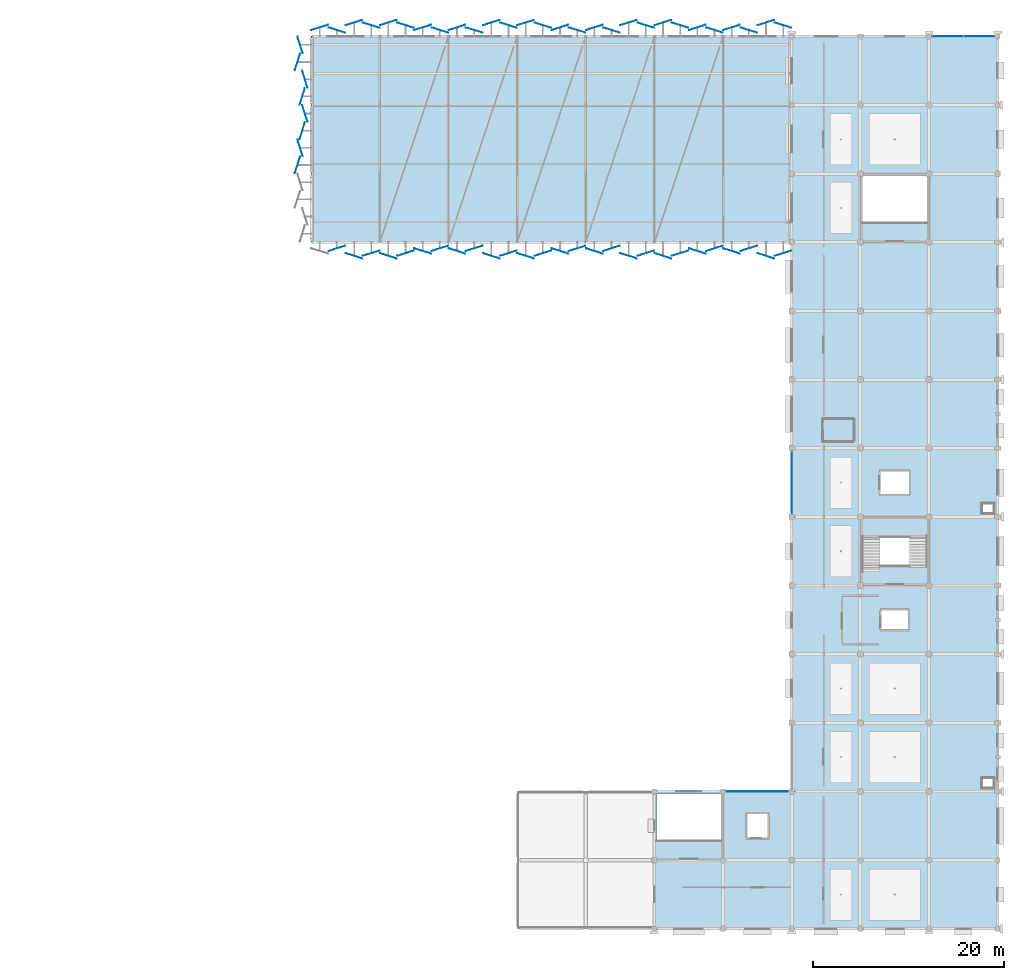
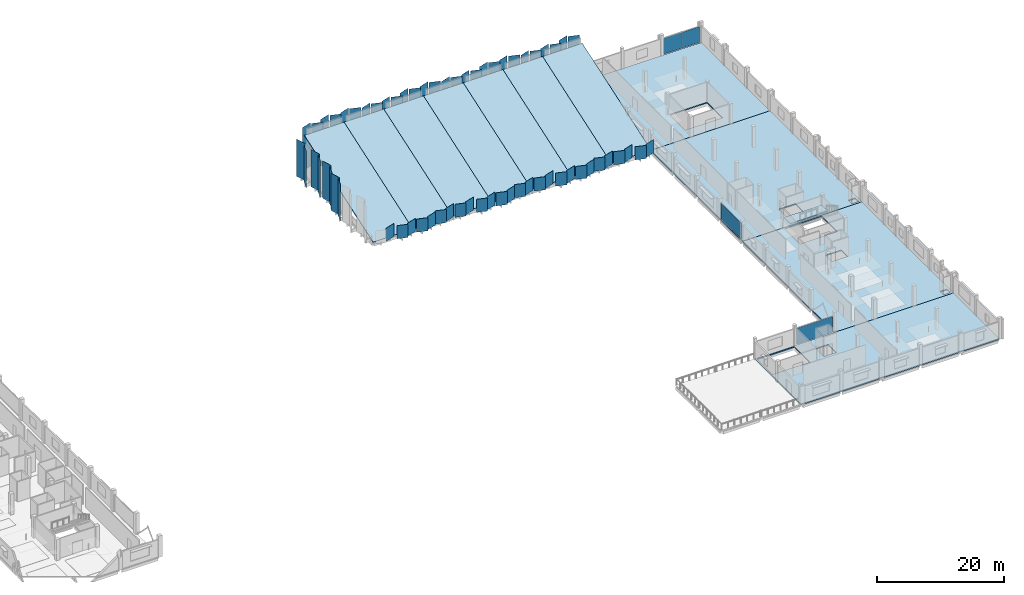
# One storey, part 30 of 59: 67 plates, 12 slabs, 4 elements without a shape of their own.
"""IFC4 building model written with IfcOpenShell, lengths in metres."""

from ifc_helpers import new_model, si_unit, direction, frame, origin, origin_2d, place, context, subcontext, project, spatial, polyline, rectangle, outline, extrude, material, layer, layer_set, type_object, element, aggregate, save


model = new_model("IFC4")

# Units and contexts
model_context = context("Model", 3, precision=1e-05, world=origin(), true_north=direction((0.0, 1.0)))
body_context = subcontext(model_context, "Body", "Model", "MODEL_VIEW")
ifc_project = project(units=[si_unit("LENGTHUNIT", "METRE"), si_unit("AREAUNIT", "SQUARE_METRE"), si_unit("VOLUMEUNIT", "CUBIC_METRE"), si_unit("PLANEANGLEUNIT", "RADIAN"), si_unit("MASSUNIT", "GRAM", prefix="KILO")], contexts=[model_context])

# Site, building, storey
site_placement = place(None, origin())
site = spatial("IfcSite", under=ifc_project, at=site_placement, CompositionType="ELEMENT")
building_placement = place(site_placement, origin())
building = spatial("IfcBuilding", under=site, at=building_placement, Name="Kangsadwip Square Police Headquarters", CompositionType="ELEMENT")
storey_placement = place(building_placement, frame((0.0, 0.0, 21.60009765625)))
storey = spatial("IfcBuildingStorey", under=building, at=storey_placement, Name="L05", CompositionType="ELEMENT", Elevation=21.60009765625)

# Curtain wall, plate
ifc_material_1 = material(Name="Thermally broken anodised aluminium AW-6063-T6", Category="aluminium")
ifc_layer_1 = layer(ifc_material_1, 0.159912109375)
ifc_layer_set_1 = layer_set([ifc_layer_1], Name="Thermally broken anodised aluminium AW-6063-T6")
curtain_wall_type_1 = type_object("IfcCurtainWallType", Name="CourtScreen6635x3300", PredefinedType="USERDEFINED", material=ifc_layer_set_1)
curtain_wall_1_placement = place(storey_placement, origin())
curtain_wall_1 = element("IfcCurtainWall", 1, at=curtain_wall_1_placement, inside=storey, type_object=curtain_wall_type_1, Name="Curtain Wall CW-L05-1371-0360", ObjectType="GLAZED_SCREEN", PredefinedType="USERDEFINED")
ifc_material_2 = material(Name="Double-glazed solar-control low-E safety glass", Category="glass")
ifc_layer_2 = layer(ifc_material_2, 0.02392578125)
ifc_layer_set_2 = layer_set([ifc_layer_2], Name="Double-glazed solar-control low-E safety glass")
plate_type_1 = type_object("IfcPlateType", Name="CwCourtVisionPanel24", PredefinedType="CURTAIN_PANEL", material=ifc_layer_set_2)
plate_1_placement = place(storey_placement, frame((140.387451171875, 36.0, 0.119873046875), z_axis=(0.0, 0.0, 1.0), x_axis=(1.0, 0.0, 0.0)))
plate_1 = element("IfcPlate", 2, at=plate_1_placement, type_object=plate_type_1, Name="CW-50 panel 1.1", PredefinedType="CURTAIN_PANEL", context=body_context, shape_type="SweptSolid", body=[
    extrude(rectangle(XDim=6.514892578125, YDim=0.02392578125, at=origin_2d()), origin(), (0.0, 0.0, 1.0), 3.06005859375),
])
aggregate(curtain_wall_1, [plate_1])

ifc_material_3 = material(Name="Thermally broken anodised aluminium AW-6063-T6", Category="aluminium")
ifc_layer_3 = layer(ifc_material_3, 0.159912109375)
ifc_layer_set_3 = layer_set([ifc_layer_3], Name="Thermally broken anodised aluminium AW-6063-T6")
curtain_wall_type_2 = type_object("IfcCurtainWallType", Name="CourtScreen6610x3300", PredefinedType="USERDEFINED", material=ifc_layer_set_3)
curtain_wall_2_placement = place(storey_placement, origin())
curtain_wall_2 = element("IfcCurtainWall", 3, at=curtain_wall_2_placement, inside=storey, type_object=curtain_wall_type_2, Name="Curtain Wall CW-L05-1440-0651", ObjectType="GLAZED_SCREEN", PredefinedType="USERDEFINED")
plate_2_placement = place(storey_placement, frame((144.0, 68.39990234375, 0.119873046875), z_axis=(0.0, 0.0, 1.0), x_axis=(0.0, 1.0, 0.0)))
plate_2 = element("IfcPlate", 4, at=plate_2_placement, type_object=plate_type_1, Name="CW-52 panel 1.1", PredefinedType="CURTAIN_PANEL", context=body_context, shape_type="SweptSolid", body=[
    extrude(rectangle(XDim=6.489990234375, YDim=0.02392578125, at=origin_2d()), origin(), (0.0, 0.0, 1.0), 3.06005859375),
])
aggregate(curtain_wall_2, [plate_2])

# Curtain wall, plates
ifc_material_4 = material(Name="Thermally broken anodised aluminium AW-6063-T6", Category="aluminium")
ifc_layer_4 = layer(ifc_material_4, 0.159912109375)
ifc_layer_set_4 = layer_set([ifc_layer_4], Name="Thermally broken anodised aluminium AW-6063-T6")
curtain_wall_type_3 = type_object("IfcCurtainWallType", Name="UnitisedCw6685x3300", PredefinedType="NOTDEFINED", material=ifc_layer_set_4)
curtain_wall_3_placement = place(storey_placement, origin())
curtain_wall_3 = element("IfcCurtainWall", 5, at=curtain_wall_3_placement, inside=storey, type_object=curtain_wall_type_3, Name="Curtain Wall CW-L05-1587-1152", PredefinedType="NOTDEFINED")
ifc_material_5 = material(Name="Double-glazed solar-control low-E safety glass", Category="glass")
ifc_layer_5 = layer(ifc_material_5, 0.028076171875)
ifc_layer_set_5 = layer_set([ifc_layer_5], Name="Double-glazed solar-control low-E safety glass")
plate_type_2 = type_object("IfcPlateType", Name="CwSolarVisionPanel28", PredefinedType="CURTAIN_PANEL", material=ifc_layer_set_5)
plate_3_placement = place(storey_placement, frame((160.357421875, 115.199951171875, 0.1298828125), z_axis=(0.0, 0.0, 1.0), x_axis=(1.0, 0.0, 0.0)))
plate_3 = element("IfcPlate", 6, at=plate_3_placement, type_object=plate_type_2, Name="CW-51 panel 1.1", PredefinedType="CURTAIN_PANEL", context=body_context, shape_type="SweptSolid", body=[
    extrude(rectangle(XDim=3.2451171875, YDim=0.028076171875, at=origin_2d()), origin(), (0.0, 0.0, 1.0), 3.0400390625),
])
plate_4_placement = place(storey_placement, frame((163.66748046875, 115.199951171875, 0.1298828125), z_axis=(0.0, 0.0, 1.0), x_axis=(1.0, 0.0, 0.0)))
plate_4 = element("IfcPlate", 7, at=plate_4_placement, type_object=plate_type_2, Name="CW-51 panel 2.1", PredefinedType="CURTAIN_PANEL", context=body_context, shape_type="SweptSolid", body=[
    extrude(rectangle(XDim=3.2451171875, YDim=0.028076171875, at=origin_2d()), origin(), (0.0, 0.0, 1.0), 3.0400390625),
])
aggregate(curtain_wall_3, [plate_3, plate_4])

# Slabs
ifc_material_6 = material(Name="Concrete M35 (35 MPa)", Category="concrete")
ifc_layer_6 = layer(ifc_material_6, 0.219970703125)
ifc_layer_set_6 = layer_set([ifc_layer_6], Name="Concrete M35 (35 MPa)")
slab_type_1 = type_object("IfcSlabType", Name="LinkBridgeFloorSlab220", PredefinedType="FLOOR", material=ifc_layer_set_6)
slab_1_placement = place(storey_placement, frame((0.0, 0.0, -0.22021484375)))
element("IfcSlab", 8, at=slab_1_placement, inside=storey, type_object=slab_type_1, Name="L05 Vol6N Slab SL-L05-054", PredefinedType="FLOOR", context=body_context, shape_type="SweptSolid", body=[
    extrude(outline(polyline([(144.0, 93.60009765625), (144.0, 115.199951171875), (165.60009765625, 115.199951171875), (165.60009765625, 93.60009765625), (144.0, 93.60009765625)]), holes=[polyline([(158.179931640625, 95.679931640625), (158.179931640625, 100.580078125), (151.419921875, 100.580078125), (151.419921875, 95.679931640625), (158.179931640625, 95.679931640625)])]), origin(), (0.0, 0.0, 1.0), 0.22021484375),
])
slab_2_placement = place(storey_placement, frame((0.0, 0.0, -0.22021484375)))
element("IfcSlab", 9, at=slab_2_placement, inside=storey, type_object=slab_type_1, Name="L05 Vol6S Slab SL-L05-057", PredefinedType="FLOOR", context=body_context, shape_type="SweptSolid", body=[
    extrude(outline(polyline([(144.0, 36.0), (144.0, 64.800048828125), (165.60009765625, 64.800048828125), (165.60009765625, 36.0), (144.0, 36.0)]), holes=[polyline([(165.199951171875, 37.39990234375), (164.0, 37.39990234375), (164.0, 36.39990234375), (165.199951171875, 36.39990234375), (165.199951171875, 37.39990234375)]), polyline([(156.199951171875, 55.0), (153.39990234375, 55.0), (153.39990234375, 53.0), (156.199951171875, 53.0), (156.199951171875, 55.0)]), polyline([(158.179931640625, 59.679931640625), (158.179931640625, 64.580078125), (151.419921875, 64.580078125), (151.419921875, 59.679931640625), (158.179931640625, 59.679931640625)])]), origin(), (0.0, 0.0, 1.0), 0.22021484375),
])
slab_3_placement = place(storey_placement, frame((0.0, 0.0, -0.22021484375)))
element("IfcSlab", 10, at=slab_3_placement, inside=storey, type_object=slab_type_1, Name="L05 Vol6N Slab SL-L05-058", PredefinedType="FLOOR", context=body_context, shape_type="SweptSolid", body=[
    extrude(outline(polyline([(144.0, 64.800048828125), (144.0, 93.60009765625), (165.60009765625, 93.60009765625), (165.60009765625, 64.800048828125), (144.0, 64.800048828125)]), holes=[polyline([(165.199951171875, 66.199951171875), (164.0, 66.199951171875), (164.0, 65.199951171875), (165.199951171875, 65.199951171875), (165.199951171875, 66.199951171875)]), polyline([(156.300048828125, 69.60009765625), (153.300048828125, 69.60009765625), (153.300048828125, 67.199951171875), (156.300048828125, 67.199951171875), (156.300048828125, 69.60009765625)])]), origin(), (0.0, 0.0, 1.0), 0.22021484375),
])
slab_4_placement = place(storey_placement, frame((0.0, 0.0, -0.22021484375)))
element("IfcSlab", 11, at=slab_4_placement, inside=storey, type_object=slab_type_1, Name="L05 Vol7 Slab SL-L05-059", PredefinedType="FLOOR", context=body_context, shape_type="SweptSolid", body=[
    extrude(outline(polyline([(129.60009765625, 21.60009765625), (129.60009765625, 36.0), (165.60009765625, 36.0), (165.60009765625, 21.60009765625), (129.60009765625, 21.60009765625)]), holes=[polyline([(141.47509765625, 33.64990234375), (139.324951171875, 33.64990234375), (139.324951171875, 31.14990234375), (141.47509765625, 31.14990234375), (141.47509765625, 33.64990234375)]), polyline([(136.580078125, 30.8798828125), (136.580078125, 35.780029296875), (129.820068359375, 35.780029296875), (129.820068359375, 30.8798828125), (136.580078125, 30.8798828125)])]), origin(), (0.0, 0.0, 1.0), 0.22021484375),
])

# Plates
ifc_material_7 = material(Name="PVDF-coated perforated marine-grade aluminium AW-5052-H32", Category="aluminium")
ifc_layer_7 = layer(ifc_material_7, 0.008056640625)
ifc_layer_set_7 = layer_set([ifc_layer_7], Name="PVDF-coated perforated marine-grade aluminium AW-5052-H32")
plate_type_3 = type_object("IfcPlateType", Name="PleatedVeilFacet3", PredefinedType="USERDEFINED", material=ifc_layer_set_7)
for number, where, z_axis, x_axis, name in (
    (12, (94.5, 116.12548828125, 0.079833984375), (0.0, 0.0, 1.0), (0.953716950748, 0.300705799504, 0.0), "Pleated Perforated Veil Facet PVF-L05-0169"),
    (13, (96.300048828125, 115.845458984375, 0.079833984375), (0.0, 0.0, 1.0), (0.953716950748, -0.300705799504, 0.0), "Pleated Perforated Veil Facet PVF-L05-0170"),
    (14, (98.10009765625, 116.634521484375, 0.079833984375), (0.0, 0.0, 1.0), (0.953716950748, 0.300705799504, 0.0), "Pleated Perforated Veil Facet PVF-L05-0171"),
    (15, (99.89990234375, 116.3544921875, 0.079833984375), (0.0, 0.0, 1.0), (0.953716950748, -0.300705799504, 0.0), "Pleated Perforated Veil Facet PVF-L05-0172"),
    (16, (101.699951171875, 116.634521484375, 0.079833984375), (0.0, 0.0, 1.0), (0.953716950748, 0.300705799504, 0.0), "Pleated Perforated Veil Facet PVF-L05-0173"),
    (17, (103.5, 116.3544921875, 0.079833984375), (0.0, 0.0, 1.0), (0.953716950748, -0.300705799504, 0.0), "Pleated Perforated Veil Facet PVF-L05-0174"),
    (18, (105.300048828125, 116.12548828125, 0.079833984375), (0.0, 0.0, 1.0), (0.953716950748, 0.300705799504, 0.0), "Pleated Perforated Veil Facet PVF-L05-0175"),
    (19, (107.10009765625, 115.845458984375, 0.079833984375), (0.0, 0.0, 1.0), (0.953716950748, -0.300705799504, 0.0), "Pleated Perforated Veil Facet PVF-L05-0176"),
    (20, (108.89990234375, 116.12548828125, 0.079833984375), (0.0, 0.0, 1.0), (0.953716950748, 0.300705799504, 0.0), "Pleated Perforated Veil Facet PVF-L05-0177"),
    (21, (110.699951171875, 115.845458984375, 0.079833984375), (0.0, 0.0, 1.0), (0.953716950748, -0.300705799504, 0.0), "Pleated Perforated Veil Facet PVF-L05-0178"),
    (22, (112.5, 116.634521484375, 0.079833984375), (0.0, 0.0, 1.0), (0.953716950748, 0.300705799504, 0.0), "Pleated Perforated Veil Facet PVF-L05-0179"),
    (23, (114.300048828125, 116.3544921875, 0.079833984375), (0.0, 0.0, 1.0), (0.953716950748, -0.300705799504, 0.0), "Pleated Perforated Veil Facet PVF-L05-0180"),
    (24, (116.10009765625, 116.634521484375, 0.079833984375), (0.0, 0.0, 1.0), (0.953716950748, 0.300705799504, 0.0), "Pleated Perforated Veil Facet PVF-L05-0181"),
    (25, (117.89990234375, 116.3544921875, 0.079833984375), (0.0, 0.0, 1.0), (0.953716950748, -0.300705799504, 0.0), "Pleated Perforated Veil Facet PVF-L05-0182"),
    (26, (119.699951171875, 116.12548828125, 0.079833984375), (0.0, 0.0, 1.0), (0.953716950748, 0.300705799504, 0.0), "Pleated Perforated Veil Facet PVF-L05-0183"),
    (27, (121.5, 115.845458984375, 0.079833984375), (0.0, 0.0, 1.0), (0.953716950748, -0.300705799504, 0.0), "Pleated Perforated Veil Facet PVF-L05-0184"),
    (28, (123.300048828125, 116.12548828125, 0.079833984375), (0.0, 0.0, 1.0), (0.953716950748, 0.300705799504, 0.0), "Pleated Perforated Veil Facet PVF-L05-0185"),
    (29, (125.10009765625, 115.845458984375, 0.079833984375), (0.0, 0.0, 1.0), (0.953716950748, -0.300705799504, 0.0), "Pleated Perforated Veil Facet PVF-L05-0186"),
    (30, (126.89990234375, 116.634521484375, 0.079833984375), (0.0, 0.0, 1.0), (0.953716950748, 0.300705799504, 0.0), "Pleated Perforated Veil Facet PVF-L05-0187"),
    (31, (128.699951171875, 116.3544921875, 0.079833984375), (0.0, 0.0, 1.0), (0.953716950748, -0.300705799504, 0.0), "Pleated Perforated Veil Facet PVF-L05-0188"),
    (32, (130.5, 116.634521484375, 0.079833984375), (0.0, 0.0, 1.0), (0.953716950748, 0.300705799504, 0.0), "Pleated Perforated Veil Facet PVF-L05-0189"),
    (33, (132.300048828125, 116.3544921875, 0.079833984375), (0.0, 0.0, 1.0), (0.953716950748, -0.300705799504, 0.0), "Pleated Perforated Veil Facet PVF-L05-0190"),
    (34, (134.10009765625, 116.12548828125, 0.079833984375), (0.0, 0.0, 1.0), (0.953716950748, 0.300705799504, 0.0), "Pleated Perforated Veil Facet PVF-L05-0191"),
    (35, (135.89990234375, 115.845458984375, 0.079833984375), (0.0, 0.0, 1.0), (0.953716950748, -0.300705799504, 0.0), "Pleated Perforated Veil Facet PVF-L05-0192"),
    (36, (137.699951171875, 116.12548828125, 0.079833984375), (0.0, 0.0, 1.0), (0.953716950748, 0.300705799504, 0.0), "Pleated Perforated Veil Facet PVF-L05-0193"),
    (37, (139.5, 115.845458984375, 0.079833984375), (0.0, 0.0, 1.0), (0.953716950748, -0.300705799504, 0.0), "Pleated Perforated Veil Facet PVF-L05-0194"),
    (38, (141.300048828125, 116.634521484375, 0.079833984375), (0.0, 0.0, 1.0), (0.953716950748, 0.300705799504, 0.0), "Pleated Perforated Veil Facet PVF-L05-0195"),
    (39, (143.10009765625, 116.3544921875, 0.079833984375), (0.0, 0.0, 1.0), (0.953716950748, -0.300705799504, 0.0), "Pleated Perforated Veil Facet PVF-L05-0196"),
):
    element("IfcPlate", number, at=place(storey_placement, frame(where, z_axis=z_axis, x_axis=x_axis)), inside=storey, type_object=plate_type_3, Name=name, ObjectType="VEIL_FACET", PredefinedType="USERDEFINED", context=body_context, shape_type="SweptSolid", body=[
        extrude(rectangle(XDim=1.820068359375, YDim=0.008056640625, at=origin_2d()), origin(), (0.0, 0.0, 1.0), 8.3701171875),
    ])
for number, where, z_axis, x_axis, name in (
    (40, (96.300048828125, 92.95458984375, 0.079833984375), (0.0, 0.0, 1.0), (0.953716950748, 0.300705799504, 0.0), "Pleated Perforated Veil Facet PVF-L05-0366"),
    (41, (98.10009765625, 92.165283203125, 0.079833984375), (0.0, 0.0, 1.0), (0.953716950748, -0.300705799504, 0.0), "Pleated Perforated Veil Facet PVF-L05-0367"),
    (42, (99.89990234375, 92.4453125, 0.079833984375), (0.0, 0.0, 1.0), (0.953716950748, 0.300705799504, 0.0), "Pleated Perforated Veil Facet PVF-L05-0368"),
    (43, (101.699951171875, 92.165283203125, 0.079833984375), (0.0, 0.0, 1.0), (0.953716950748, -0.300705799504, 0.0), "Pleated Perforated Veil Facet PVF-L05-0369"),
    (44, (103.5, 92.4453125, 0.079833984375), (0.0, 0.0, 1.0), (0.953716950748, 0.300705799504, 0.0), "Pleated Perforated Veil Facet PVF-L05-0370"),
    (45, (105.300048828125, 92.674560546875, 0.079833984375), (0.0, 0.0, 1.0), (0.953716950748, -0.300705799504, 0.0), "Pleated Perforated Veil Facet PVF-L05-0371"),
    (46, (107.10009765625, 92.95458984375, 0.079833984375), (0.0, 0.0, 1.0), (0.953716950748, 0.300705799504, 0.0), "Pleated Perforated Veil Facet PVF-L05-0372"),
    (47, (108.89990234375, 92.674560546875, 0.079833984375), (0.0, 0.0, 1.0), (0.953716950748, -0.300705799504, 0.0), "Pleated Perforated Veil Facet PVF-L05-0373"),
    (48, (110.699951171875, 92.95458984375, 0.079833984375), (0.0, 0.0, 1.0), (0.953716950748, 0.300705799504, 0.0), "Pleated Perforated Veil Facet PVF-L05-0374"),
    (49, (112.5, 92.165283203125, 0.079833984375), (0.0, 0.0, 1.0), (0.953716950748, -0.300705799504, 0.0), "Pleated Perforated Veil Facet PVF-L05-0375"),
    (50, (114.300048828125, 92.4453125, 0.079833984375), (0.0, 0.0, 1.0), (0.953716950748, 0.300705799504, 0.0), "Pleated Perforated Veil Facet PVF-L05-0376"),
    (51, (116.10009765625, 92.165283203125, 0.079833984375), (0.0, 0.0, 1.0), (0.953716950748, -0.300705799504, 0.0), "Pleated Perforated Veil Facet PVF-L05-0377"),
    (52, (117.89990234375, 92.4453125, 0.079833984375), (0.0, 0.0, 1.0), (0.953716950748, 0.300705799504, 0.0), "Pleated Perforated Veil Facet PVF-L05-0378"),
    (53, (119.699951171875, 92.674560546875, 0.079833984375), (0.0, 0.0, 1.0), (0.953716950748, -0.300705799504, 0.0), "Pleated Perforated Veil Facet PVF-L05-0379"),
    (54, (121.5, 92.95458984375, 0.079833984375), (0.0, 0.0, 1.0), (0.953716950748, 0.300705799504, 0.0), "Pleated Perforated Veil Facet PVF-L05-0380"),
    (55, (123.300048828125, 92.674560546875, 0.079833984375), (0.0, 0.0, 1.0), (0.953716950748, -0.300705799504, 0.0), "Pleated Perforated Veil Facet PVF-L05-0381"),
    (56, (125.10009765625, 92.95458984375, 0.079833984375), (0.0, 0.0, 1.0), (0.953716950748, 0.300705799504, 0.0), "Pleated Perforated Veil Facet PVF-L05-0382"),
    (57, (126.89990234375, 92.165283203125, 0.079833984375), (0.0, 0.0, 1.0), (0.953716950748, -0.300705799504, 0.0), "Pleated Perforated Veil Facet PVF-L05-0383"),
    (58, (128.699951171875, 92.4453125, 0.079833984375), (0.0, 0.0, 1.0), (0.953716950748, 0.300705799504, 0.0), "Pleated Perforated Veil Facet PVF-L05-0384"),
    (59, (130.5, 92.165283203125, 0.079833984375), (0.0, 0.0, 1.0), (0.953716950748, -0.300705799504, 0.0), "Pleated Perforated Veil Facet PVF-L05-0385"),
    (60, (132.300048828125, 92.4453125, 0.079833984375), (0.0, 0.0, 1.0), (0.953716950748, 0.300705799504, 0.0), "Pleated Perforated Veil Facet PVF-L05-0386"),
    (61, (134.10009765625, 92.674560546875, 0.079833984375), (0.0, 0.0, 1.0), (0.953716950748, -0.300705799504, 0.0), "Pleated Perforated Veil Facet PVF-L05-0387"),
    (62, (135.89990234375, 92.95458984375, 0.079833984375), (0.0, 0.0, 1.0), (0.953716950748, 0.300705799504, 0.0), "Pleated Perforated Veil Facet PVF-L05-0388"),
    (63, (137.699951171875, 92.674560546875, 0.079833984375), (0.0, 0.0, 1.0), (0.953716950748, -0.300705799504, 0.0), "Pleated Perforated Veil Facet PVF-L05-0389"),
    (64, (139.5, 92.95458984375, 0.079833984375), (0.0, 0.0, 1.0), (0.953716950748, 0.300705799504, 0.0), "Pleated Perforated Veil Facet PVF-L05-0390"),
    (65, (141.300048828125, 92.165283203125, 0.079833984375), (0.0, 0.0, 1.0), (0.953716950748, -0.300705799504, 0.0), "Pleated Perforated Veil Facet PVF-L05-0391"),
    (66, (143.10009765625, 92.4453125, 0.079833984375), (0.0, 0.0, 1.0), (0.953716950748, 0.300705799504, 0.0), "Pleated Perforated Veil Facet PVF-L05-0392"),
):
    element("IfcPlate", number, at=place(storey_placement, frame(where, z_axis=z_axis, x_axis=x_axis)), inside=storey, type_object=plate_type_3, Name=name, ObjectType="VEIL_FACET", PredefinedType="USERDEFINED", context=body_context, shape_type="SweptSolid", body=[
        extrude(rectangle(XDim=1.820068359375, YDim=0.008056640625, at=origin_2d()), origin(), (0.0, 0.0, 1.0), 2.52001953125),
    ])
ifc_material_8 = material(Name="PVDF-coated perforated marine-grade aluminium AW-5052-H32", Category="aluminium")
ifc_layer_8 = layer(ifc_material_8, 0.0048828125)
ifc_layer_set_8 = layer_set([ifc_layer_8], Name="PVDF-coated perforated marine-grade aluminium AW-5052-H32")
plate_type_4 = type_object("IfcPlateType", Name="PleatedVeilFacet5", PredefinedType="USERDEFINED", material=ifc_layer_set_8)
for number, where, z_axis, x_axis, name in (
    (67, (92.165283203125, 101.699951171875, 0.079833984375), (0.0, 0.0, 1.0), (0.300705799504, 0.953716950748, 0.0), "Pleated Perforated Veil Facet PVF-L05-0409"),
    (68, (92.4453125, 103.5, 0.079833984375), (0.0, 0.0, 1.0), (-0.300705799504, 0.953716950748, 0.0), "Pleated Perforated Veil Facet PVF-L05-0410"),
    (69, (92.674560546875, 105.300048828125, 0.079833984375), (0.0, 0.0, 1.0), (0.300705799504, 0.953716950748, 0.0), "Pleated Perforated Veil Facet PVF-L05-0411"),
    (70, (92.95458984375, 107.10009765625, 0.079833984375), (0.0, 0.0, 1.0), (-0.300705799504, 0.953716950748, 0.0), "Pleated Perforated Veil Facet PVF-L05-0412"),
    (71, (92.674560546875, 108.89990234375, 0.079833984375), (0.0, 0.0, 1.0), (0.300705799504, 0.953716950748, 0.0), "Pleated Perforated Veil Facet PVF-L05-0413"),
    (72, (92.95458984375, 110.699951171875, 0.079833984375), (0.0, 0.0, 1.0), (-0.300705799504, 0.953716950748, 0.0), "Pleated Perforated Veil Facet PVF-L05-0414"),
    (73, (92.165283203125, 112.5, 0.079833984375), (0.0, 0.0, 1.0), (0.300705799504, 0.953716950748, 0.0), "Pleated Perforated Veil Facet PVF-L05-0415"),
    (74, (92.4453125, 114.300048828125, 0.079833984375), (0.0, 0.0, 1.0), (-0.300705799504, 0.953716950748, 0.0), "Pleated Perforated Veil Facet PVF-L05-0416"),
):
    element("IfcPlate", number, at=place(storey_placement, frame(where, z_axis=z_axis, x_axis=x_axis)), inside=storey, type_object=plate_type_4, Name=name, ObjectType="VEIL_FACET", PredefinedType="USERDEFINED", context=body_context, shape_type="SweptSolid", body=[
        extrude(rectangle(XDim=1.820068359375, YDim=0.0048828125, at=origin_2d()), origin(), (0.0, 0.0, 1.0), 7.1201171875),
    ])

# Slabs
ifc_material_9 = material(Name="Concrete M35 (35 MPa)", Category="concrete")
ifc_layer_9 = layer(ifc_material_9, 0.14990234375)
ifc_layer_set_9 = layer_set([ifc_layer_9], Name="Concrete M35 (35 MPa)")
slab_type_2 = type_object("IfcSlabType", Name="SawtoothRoofDeck150", PredefinedType="ROOF", material=ifc_layer_set_9)
for number, where, z_axis, x_axis, name in (
    (75, (93.60009765625, 93.60009765625, 0.0), (0.0, -0.324098508947, 0.946023338242), (1.0, 0.0, 0.0), "Sawtooth Sloped Roof Deck SL-L05-083"),
    (76, (100.800048828125, 93.60009765625, 0.0), (0.0, -0.324098508947, 0.946023338242), (1.0, 0.0, 0.0), "Sawtooth Sloped Roof Deck SL-L05-084"),
    (77, (108.0, 93.60009765625, 0.0), (0.0, -0.324098508947, 0.946023338242), (1.0, 0.0, 0.0), "Sawtooth Sloped Roof Deck SL-L05-085"),
    (78, (115.199951171875, 93.60009765625, 0.0), (0.0, -0.324098508947, 0.946023338242), (1.0, 0.0, 0.0), "Sawtooth Sloped Roof Deck SL-L05-086"),
):
    element("IfcSlab", number, at=place(storey_placement, frame(where, z_axis=z_axis, x_axis=x_axis)), inside=storey, type_object=slab_type_2, Name=name, PredefinedType="ROOF", context=body_context, shape_type="SweptSolid", body=[
        extrude(outline(polyline([(0.0, 0.0), (7.199951171875, 0.0), (7.199951171875, 22.83226284435019), (0.0, 22.83226284435019), (0.0, 0.0)])), origin(), (0.0, 0.0, -1.0), 0.14990234375),
    ])
slab_5_placement = place(storey_placement, frame((122.39990234375, 93.60009765625, 0.0), z_axis=(0.0, -0.324098508947, 0.946023338242), x_axis=(1.0, 0.0, 0.0)))
element("IfcSlab", 79, at=slab_5_placement, inside=storey, type_object=slab_type_2, Name="Sawtooth Sloped Roof Deck SL-L05-087", PredefinedType="ROOF", context=body_context, shape_type="SweptSolid", body=[
    extrude(outline(polyline([(0.0, 0.0), (7.2001953125, 0.0), (7.2001953125, 22.83226284435019), (0.0, 22.83226284435019), (0.0, 0.0)])), origin(), (0.0, 0.0, -1.0), 0.14990234375),
])
for number, where, z_axis, x_axis, name in (
    (80, (129.60009765625, 93.60009765625, 0.0), (0.0, -0.324098508947, 0.946023338242), (1.0, 0.0, 0.0), "Sawtooth Sloped Roof Deck SL-L05-088"),
    (81, (136.800048828125, 93.60009765625, 0.0), (0.0, -0.324098508947, 0.946023338242), (1.0, 0.0, 0.0), "Sawtooth Sloped Roof Deck SL-L05-089"),
):
    element("IfcSlab", number, at=place(storey_placement, frame(where, z_axis=z_axis, x_axis=x_axis)), inside=storey, type_object=slab_type_2, Name=name, PredefinedType="ROOF", context=body_context, shape_type="SweptSolid", body=[
        extrude(outline(polyline([(0.0, 0.0), (7.199951171875, 0.0), (7.199951171875, 22.83226284435019), (0.0, 22.83226284435019), (0.0, 0.0)])), origin(), (0.0, 0.0, -1.0), 0.14990234375),
    ])

# Stair, slab
ifc_material_10 = material(Name="Concrete M35 (35 MPa)", Category="concrete")
stair_type = type_object("IfcStairType", Name="Stair2FlightTypW1850", PredefinedType="HALF_TURN_STAIR", material=ifc_material_10)
stair_placement = place(storey_placement, origin())
stair = element("IfcStair", 82, at=stair_placement, inside=storey, type_object=stair_type, Name="Protected Stair ST-03 L05", PredefinedType="HALF_TURN_STAIR")
ifc_material_11 = material(Name="Concrete M35 (35 MPa)", Category="concrete")
ifc_layer_10 = layer(ifc_material_11, 0.199951171875)
ifc_layer_set_10 = layer_set([ifc_layer_10], Name="Concrete M35 (35 MPa)")
slab_type_3 = type_object("IfcSlabType", Name="StairLandingSlab200", PredefinedType="LANDING", material=ifc_layer_set_10)
slab_6_placement = place(storey_placement, frame((0.0, 0.0, 1.906005859375)))
slab_6 = element("IfcSlab", 83, at=slab_6_placement, type_object=slab_type_3, Name="ST-03 landing 1", PredefinedType="LANDING", context=body_context, shape_type="SweptSolid", body=[
    extrude(outline(polyline([(151.3701171875, 62.679931640625), (158.22998046875, 62.679931640625), (158.22998046875, 64.6298828125), (151.3701171875, 64.6298828125), (151.3701171875, 62.679931640625)])), origin(), (0.0, 0.0, 1.0), 0.199951171875),
])
aggregate(stair, [slab_6])

save(model, "model.ifc")
